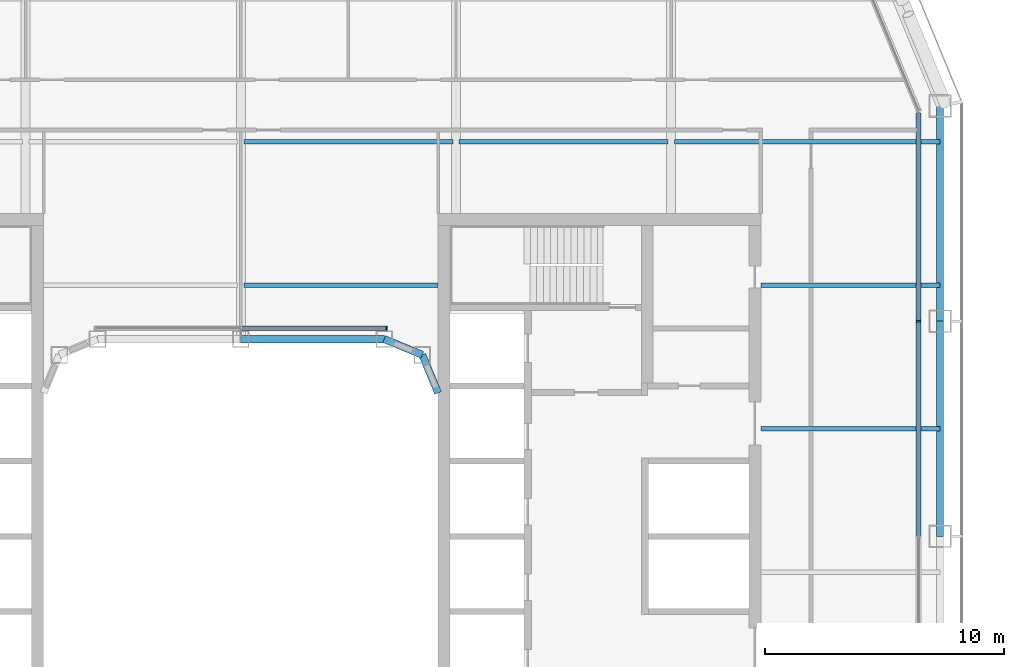
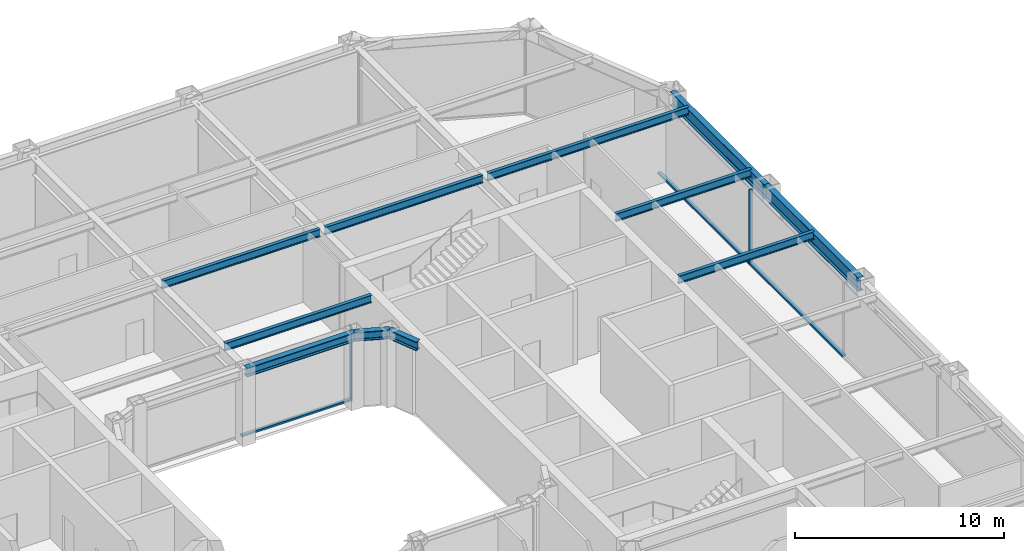
# One storey, part 8 of 23: 11 beams, 5 members, 2 elements without a shape of their own.
"""IFC4 building model written with IfcOpenShell, lengths in metres."""

import ifcopenshell
import ifcopenshell.guid

model = None  # the IFC model being written
_history = None  # IfcOwnerHistory: only IFC2X3 demands one
_inside = {}  # id of a spatial element -> (the spatial element, [elements in it])
_under = {}  # id of a project, library or spatial element -> (it, [spatial elements below it])
_declared = {}  # id of a project -> (the project, [libraries it declares])
_typed = {}  # id of a type object -> (the type object, [elements of that type])
_made_of = {}  # id of a material, layer set ... -> (it, [elements and type objects made of it])


def new_model(schema):
    """Start an empty IFC model of exactly this schema.

    Asked for "IFC4X3", IfcOpenShell would pick the latest addendum, in which some entities
    have other attributes; the version numbers below select the first issue.
    IFC2X3 requires an IfcOwnerHistory on every rooted entity: one is made here for all.
    """
    global model, _history
    if schema == "IFC4X3":
        model = ifcopenshell.file(schema_version=(4, 3, 0, 0))
    else:
        model = ifcopenshell.file(schema=schema)
    _inside.clear()
    _under.clear()
    _declared.clear()
    _typed.clear()
    _made_of.clear()
    _history = None
    if model.schema == "IFC2X3":
        org = make("IfcOrganization", Name="unknown")
        user = make(
            "IfcPersonAndOrganization",
            ThePerson=make("IfcPerson", FamilyName="unknown"),
            TheOrganization=org,
        )
        app = make(
            "IfcApplication",
            ApplicationDeveloper=org,
            Version="unknown",
            ApplicationFullName="unknown",
            ApplicationIdentifier="unknown",
        )
        _history = make(
            "IfcOwnerHistory",
            OwningUser=user,
            OwningApplication=app,
            ChangeAction="ADDED",
            CreationDate=0,
        )
    return model


def make(cls, **values):
    """One entity of the class cls with the attributes given. An attribute that is None is left unset."""
    return model.create_entity(
        cls, **{name: value for name, value in values.items() if value is not None}
    )


def rooted(cls, **values):
    """An entity with a GlobalId (a new one), such as an element, a storey or a relation."""
    return make(cls, GlobalId=ifcopenshell.guid.new(), OwnerHistory=_history, **values)


def si_unit(unit_type, name, prefix=None):
    """IfcSIUnit, for example si_unit("LENGTHUNIT", "METRE", prefix="MILLI")."""
    return make("IfcSIUnit", UnitType=unit_type, Prefix=prefix, Name=name)


def assignment(units):
    """IfcUnitAssignment: the units of a project."""
    return None if units is None else make("IfcUnitAssignment", Units=units)


def point(xyz):
    """IfcCartesianPoint."""
    return None if xyz is None else make("IfcCartesianPoint", Coordinates=xyz)


def direction(xyz):
    """IfcDirection."""
    return None if xyz is None else make("IfcDirection", DirectionRatios=xyz)


def frame(location, z_axis=None, x_axis=None):
    """IfcAxis2Placement3D, a coordinate frame: its origin and axes. An axis left out is left unset."""
    return make(
        "IfcAxis2Placement3D",
        Location=point(location),
        Axis=direction(z_axis),
        RefDirection=direction(x_axis),
    )


def frame_2d(location, x_axis=None):
    """IfcAxis2Placement2D, a coordinate frame in the plane: its origin and x axis."""
    return make(
        "IfcAxis2Placement2D", Location=point(location), RefDirection=direction(x_axis)
    )


def origin():
    """The frame at (0, 0, 0) with its axes left unset."""
    return frame((0.0, 0.0, 0.0))


def origin_2d():
    """The frame at (0, 0) in the plane with its x axis left unset."""
    return frame_2d((0.0, 0.0))


def place(relative_to, where):
    """IfcLocalPlacement: puts the frame where relative to a parent placement (None: the world)."""
    return make(
        "IfcLocalPlacement", PlacementRelTo=relative_to, RelativePlacement=where
    )


def context(
    kind, dimensions, precision=None, world=None, true_north=None, identifier=None
):
    """IfcGeometricRepresentationContext, for example the 3D "Model" context."""
    return make(
        "IfcGeometricRepresentationContext",
        ContextIdentifier=identifier,
        ContextType=kind,
        CoordinateSpaceDimension=dimensions,
        Precision=precision,
        WorldCoordinateSystem=world,
        TrueNorth=true_north,
    )


def subcontext(parent, identifier, kind, view, scale=None):
    """IfcGeometricRepresentationSubContext, for example "Body" below "Model"."""
    return make(
        "IfcGeometricRepresentationSubContext",
        ContextIdentifier=identifier,
        ContextType=kind,
        ParentContext=parent,
        TargetScale=scale,
        TargetView=view,
    )


def project(units=None, contexts=None):
    """IfcProject with its units and contexts."""
    return rooted(
        "IfcProject",
        Name="project",
        RepresentationContexts=contexts,
        UnitsInContext=assignment(units),
    )


def spatial(cls, under=None, at=None, **own):
    """A site, building, storey or space (cls), placed at a placement, below another one or the project."""
    s = rooted(cls, ObjectPlacement=at, **own)
    if under is not None:
        _under.setdefault(under.id(), (under, []))[1].append(s)
    return s


def profile(cls, at=None, kind="AREA", **sizes):
    """A parametric profile (cls). Its sizes go by their IFC names, for example OverallWidth=200.0."""
    return make(cls, ProfileType=kind, Position=at, **sizes)


def rectangle(**sizes):
    """IfcRectangleProfileDef."""
    return profile("IfcRectangleProfileDef", **sizes)


def i_section(**sizes):
    """IfcIShapeProfileDef."""
    return profile("IfcIShapeProfileDef", **sizes)


def extrude(swept, where, along, depth):
    """IfcExtrudedAreaSolid: the profile swept, set in the frame where, extruded along a direction by depth."""
    return make(
        "IfcExtrudedAreaSolid",
        SweptArea=swept,
        Position=where,
        ExtrudedDirection=direction(along),
        Depth=depth,
    )


def shape(context_of_items, identifier, shape_type, items):
    """IfcShapeRepresentation: the items that make up one representation, for example the "Body"."""
    return make(
        "IfcShapeRepresentation",
        ContextOfItems=context_of_items,
        RepresentationIdentifier=identifier,
        RepresentationType=shape_type,
        Items=items,
    )


def material(Name=None, Category=None):
    """IfcMaterial."""
    return make("IfcMaterial", Name=Name, Category=Category)


def layer(
    of_material, thickness, ventilated=None, Name=None, Category=None, Priority=None
):
    """IfcMaterialLayer: one layer of a wall or slab, of a material (None: an air gap)."""
    return make(
        "IfcMaterialLayer",
        Material=of_material,
        LayerThickness=thickness,
        IsVentilated=ventilated,
        Name=Name,
        Category=Category,
        Priority=Priority,
    )


def layer_set(layers, Name=None):
    """IfcMaterialLayerSet."""
    return make("IfcMaterialLayerSet", MaterialLayers=layers, LayerSetName=Name)


def material_profile(
    of_material, cross_section, Name=None, Category=None, Priority=None
):
    """IfcMaterialProfile: a cross section and its material."""
    return make(
        "IfcMaterialProfile",
        Name=Name,
        Material=of_material,
        Profile=cross_section,
        Priority=Priority,
        Category=Category,
    )


def profile_set(profiles, Name=None, composite=None):
    """IfcMaterialProfileSet."""
    return make(
        "IfcMaterialProfileSet",
        Name=Name,
        MaterialProfiles=profiles,
        CompositeProfile=composite,
    )


def made_of(thing, what):
    """Note that an element or type object is made of a material, layer set ...; save() writes the relation."""
    if what is not None:
        _made_of.setdefault(what.id(), (what, []))[1].append(thing)
    return thing


def type_object(cls, material=None, **own):
    """A type object (cls), such as IfcWallType, which elements share."""
    return made_of(rooted(cls, **own), material)


def element(
    cls,
    number,
    at=None,
    inside=None,
    cuts=None,
    type_object=None,
    material=None,
    context=None,
    identifier="Body",
    shape_type=None,
    held_by="IfcProductDefinitionShape",
    body=None,
    shapes=None,
    **own,
):
    """One element of the class cls, such as IfcWall. Its Tag is "e" and its number.

    at: its placement. inside: the storey or other place that contains it. cuts: it is an
    opening in that element (IfcRelVoidsElement). A single representation is given by context,
    identifier, shape_type and body (its items); several are given by shapes. held_by: the class
    of the entity that holds the representations. save() writes the other relations.
    """
    e = rooted(cls, Tag="e%d" % number, ObjectPlacement=at, **own)
    if body is not None:
        shapes = [shape(context, identifier, shape_type, body)]
    if shapes is not None:
        e.Representation = make(held_by, Representations=shapes)
    if inside is not None:
        _inside.setdefault(inside.id(), (inside, []))[1].append(e)
    if cuts is not None:
        rooted(
            "IfcRelVoidsElement", RelatingBuildingElement=cuts, RelatedOpeningElement=e
        )
    if type_object is not None:
        _typed.setdefault(type_object.id(), (type_object, []))[1].append(e)
    return made_of(e, material)


def aggregate(whole, parts):
    """IfcRelAggregates: a whole, such as a stair, and the parts it consists of."""
    return rooted("IfcRelAggregates", RelatingObject=whole, RelatedObjects=parts)


def save(model, path):
    """Write the relations noted so far, then the file.

    IfcRelAggregates (storeys below a building ...), IfcRelContainedInSpatialStructure (elements
    in a storey), IfcRelDefinesByType, IfcRelAssociatesMaterial and IfcRelDeclares: one each for
    every whole, place, type object, material and project.
    """
    for whole, parts in _under.values():
        aggregate(whole, parts)
    for where, things in _inside.values():
        rooted(
            "IfcRelContainedInSpatialStructure",
            RelatedElements=things,
            RelatingStructure=where,
        )
    for kind, things in _typed.values():
        rooted("IfcRelDefinesByType", RelatedObjects=things, RelatingType=kind)
    for what, things in _made_of.values():
        rooted("IfcRelAssociatesMaterial", RelatedObjects=things, RelatingMaterial=what)
    for by, libraries in _declared.values():
        rooted("IfcRelDeclares", RelatingContext=by, RelatedDefinitions=libraries)
    model.write(path)


model = new_model("IFC4")

# Units and contexts
model_context = context("Model", 3, precision=1e-05, world=origin(), true_north=direction((0.0, 1.0)))
body_context = subcontext(model_context, "Body", "Model", "MODEL_VIEW")
ifc_project = project(units=[si_unit("LENGTHUNIT", "METRE"), si_unit("AREAUNIT", "SQUARE_METRE"), si_unit("VOLUMEUNIT", "CUBIC_METRE"), si_unit("PLANEANGLEUNIT", "RADIAN"), si_unit("MASSUNIT", "GRAM", prefix="KILO")], contexts=[model_context])

# Site, building, storey
site_placement = place(None, origin())
site = spatial("IfcSite", under=ifc_project, at=site_placement, CompositionType="ELEMENT")
building_placement = place(site_placement, origin())
building = spatial("IfcBuilding", under=site, at=building_placement, Name="Siwar Civic Tower", CompositionType="ELEMENT")
storey_placement = place(building_placement, frame((0.0, 0.0, 109.199951171875)))
storey = spatial("IfcBuildingStorey", under=building, at=storey_placement, Name="L23", CompositionType="ELEMENT", Elevation=109.199951171875)

# Curtain wall, member
ifc_material_1 = material(Name="Aluminium and glass", Category="aluminium")
ifc_layer_1 = layer(ifc_material_1, 0.199951171875)
ifc_layer_set_1 = layer_set([ifc_layer_1], Name="Aluminium and glass")
curtain_wall_type_1 = type_object("IfcCurtainWallType", Name="ENV-CW-B", PredefinedType="NOTDEFINED", material=ifc_layer_set_1)
curtain_wall_1_placement = place(storey_placement, origin())
curtain_wall_1 = element("IfcCurtainWall", 1, at=curtain_wall_1_placement, inside=storey, type_object=curtain_wall_type_1, Name="Curtain wall B E", PredefinedType="NOTDEFINED")
ifc_material_2 = material(Name="Aluminium 6063-T6", Category="aluminium")
ifc_material_profile_1 = material_profile(ifc_material_2, rectangle(XDim=0.199951171875, YDim=0.06494140625, at=origin_2d()), Name="AL 200x65")
ifc_profile_set_1 = profile_set([ifc_material_profile_1], Name="Aluminium 6063-T6")
member_type_1 = type_object("IfcMemberType", Name="ENV-MULLION-B", PredefinedType="MULLION", material=ifc_profile_set_1)
member_1_placement = place(storey_placement, frame((28.35009765625, 9.0, 0.0), z_axis=(0.0, 0.0, 1.0), x_axis=(-1.0, 0.0, 0.0)))
member_1 = element("IfcMember", 2, at=member_1_placement, type_object=member_type_1, Name="Mullion B E 4", PredefinedType="MULLION", context=body_context, shape_type="SweptSolid", body=[
    extrude(rectangle(XDim=0.199951171875, YDim=0.06494140625, at=origin_2d()), origin(), (0.0, 0.0, 1.0), 4.35009765625),
])

ifc_material_3 = material(Name="Aluminium and glass", Category="aluminium")
ifc_layer_2 = layer(ifc_material_3, 0.179931640625)
ifc_layer_set_2 = layer_set([ifc_layer_2], Name="Aluminium and glass")
curtain_wall_type_2 = type_object("IfcCurtainWallType", Name="ENV-CW-W", PredefinedType="NOTDEFINED", material=ifc_layer_set_2)
curtain_wall_2_placement = place(storey_placement, origin())
curtain_wall_2 = element("IfcCurtainWall", 3, at=curtain_wall_2_placement, inside=storey, type_object=curtain_wall_type_2, Name="Curtain wall W WN", PredefinedType="NOTDEFINED")
ifc_material_4 = material(Name="Aluminium 6063-T6", Category="aluminium")
ifc_material_profile_2 = material_profile(ifc_material_4, rectangle(XDim=0.179931640625, YDim=0.06005859375, at=origin_2d()), Name="AL 180x60")
ifc_profile_set_2 = profile_set([ifc_material_profile_2], Name="Aluminium 6063-T6")
member_type_2 = type_object("IfcMemberType", Name="ENV-MULLION-W", PredefinedType="MULLION", material=ifc_profile_set_2)
member_2_placement = place(storey_placement, frame((6.091552734375, 8.7099609375, 0.0), z_axis=(0.0, 0.0, 1.0), x_axis=(0.0, -1.0, 0.0)))
member_2 = element("IfcMember", 4, at=member_2_placement, type_object=member_type_2, Name="Mullion W WN 1", PredefinedType="MULLION", context=body_context, shape_type="SweptSolid", body=[
    extrude(rectangle(XDim=0.179931640625, YDim=0.06005859375, at=origin_2d()), origin(), (0.0, 0.0, 1.0), 4.35009765625),
])

# Member
ifc_material_5 = material(Name="Aluminium 6063-T6", Category="aluminium")
ifc_material_profile_3 = material_profile(ifc_material_5, rectangle(XDim=0.199951171875, YDim=0.110107421875, at=origin_2d()), Name="AL 200x110")
ifc_profile_set_3 = profile_set([ifc_material_profile_3], Name="Aluminium 6063-T6")
member_type_3 = type_object("IfcMemberType", Name="ENV-TRANSOM-B", PredefinedType="USERDEFINED", material=ifc_profile_set_3)
member_3_placement = place(storey_placement, frame((28.35009765625, 0.032470703125, 0.054931640625), z_axis=(0.0, 1.0, 0.0), x_axis=(-1.0, 0.0, 0.0)))
member_3 = element("IfcMember", 5, at=member_3_placement, type_object=member_type_3, Name="Transom B E 3", ObjectType="TRANSOM", PredefinedType="USERDEFINED", context=body_context, shape_type="SweptSolid", body=[
    extrude(rectangle(XDim=0.199951171875, YDim=0.110107421875, at=origin_2d()), origin(), (0.0, 0.0, 1.0), 8.93505859375),
])

member_4_placement = place(storey_placement, frame((28.35009765625, 9.032470703125, 0.054931640625), z_axis=(0.0, 1.0, 0.0), x_axis=(-1.0, 0.0, 0.0)))
member_4 = element("IfcMember", 6, at=member_4_placement, type_object=member_type_3, Name="Transom B E 4", ObjectType="TRANSOM", PredefinedType="USERDEFINED", context=body_context, shape_type="SweptSolid", body=[
    extrude(rectangle(XDim=0.199951171875, YDim=0.110107421875, at=origin_2d()), origin(), (0.0, 0.0, 1.0), 8.6748046875),
])

aggregate(curtain_wall_1, [member_1, member_3, member_4])

ifc_material_6 = material(Name="Aluminium 6063-T6", Category="aluminium")
ifc_material_profile_4 = material_profile(ifc_material_6, rectangle(XDim=0.179931640625, YDim=0.10009765625, at=origin_2d()), Name="AL 180x100")
ifc_profile_set_4 = profile_set([ifc_material_profile_4], Name="Aluminium 6063-T6")
member_type_4 = type_object("IfcMemberType", Name="ENV-TRANSOM-W", PredefinedType="USERDEFINED", material=ifc_profile_set_4)
member_5_placement = place(storey_placement, frame((6.0615234375, 8.7099609375, 0.050048828125), z_axis=(-1.0, 0.0, 0.0), x_axis=(0.0, -1.0, 0.0)))
member_5 = element("IfcMember", 7, at=member_5_placement, type_object=member_type_4, Name="Transom W WN 1", ObjectType="TRANSOM", PredefinedType="USERDEFINED", context=body_context, shape_type="SweptSolid", body=[
    extrude(rectangle(XDim=0.179931640625, YDim=0.10009765625, at=origin_2d()), origin(), (0.0, 0.0, 1.0), 6.031494140625),
])

aggregate(curtain_wall_2, [member_2, member_5])

# Beams
ifc_material_7 = material(Name="Steel S355", Category="steel")
ifc_material_profile_5 = material_profile(ifc_material_7, i_section(OverallWidth=0.18994140625, OverallDepth=0.449951171875, WebThickness=0.009521484375, FlangeThickness=0.0146484375, FilletRadius=0.02099609375, at=origin_2d()), Name="IPE450")
ifc_profile_set_5 = profile_set([ifc_material_profile_5], Name="Steel S355")
beam_type_1 = type_object("IfcBeamType", Name="STR-FB-IPE450", PredefinedType="JOIST", material=ifc_profile_set_5)
beam_1_placement = place(storey_placement, frame((21.75, 4.5, 4.125), z_axis=(1.0, 0.0, 0.0), x_axis=(0.0, 1.0, 0.0)))
element("IfcBeam", 8, at=beam_1_placement, inside=storey, type_object=beam_type_1, Name="L23/bm/F026", PredefinedType="JOIST", context=body_context, shape_type="SweptSolid", body=[
    extrude(i_section(OverallWidth=0.18994140625, OverallDepth=0.449951171875, WebThickness=0.009521484375, FlangeThickness=0.0146484375, FilletRadius=0.02099609375, at=origin_2d()), origin(), (0.0, 0.0, 1.0), 7.5),
])
beam_2_placement = place(storey_placement, frame((0.1298828125, 10.5, 4.125), z_axis=(1.0, 0.0, 0.0), x_axis=(0.0, 1.0, 0.0)))
element("IfcBeam", 9, at=beam_2_placement, inside=storey, type_object=beam_type_1, Name="L23/bm/F029", PredefinedType="JOIST", context=body_context, shape_type="SweptSolid", body=[
    extrude(i_section(OverallWidth=0.18994140625, OverallDepth=0.449951171875, WebThickness=0.009521484375, FlangeThickness=0.0146484375, FilletRadius=0.02099609375, at=origin_2d()), origin(), (0.0, 0.0, 1.0), 8.1201171875),
])
beam_3_placement = place(storey_placement, frame((21.75, 10.5, 4.125), z_axis=(1.0, 0.0, 0.0), x_axis=(0.0, 1.0, 0.0)))
element("IfcBeam", 10, at=beam_3_placement, inside=storey, type_object=beam_type_1, Name="L23/bm/F030", PredefinedType="JOIST", context=body_context, shape_type="SweptSolid", body=[
    extrude(i_section(OverallWidth=0.18994140625, OverallDepth=0.449951171875, WebThickness=0.009521484375, FlangeThickness=0.0146484375, FilletRadius=0.02099609375, at=origin_2d()), origin(), (0.0, 0.0, 1.0), 7.5),
])
for number, where, z_axis, x_axis, name in (
    (11, (0.1298828125, 16.5, 4.125), (1.0, 0.0, 0.0), (0.0, 1.0, 0.0), "L23/bm/F034"),
    (12, (9.1298828125, 16.5, 4.125), (1.0, 0.0, 0.0), (0.0, 1.0, 0.0), "L23/bm/F035"),
):
    element("IfcBeam", number, at=place(storey_placement, frame(where, z_axis=z_axis, x_axis=x_axis)), inside=storey, type_object=beam_type_1, Name=name, PredefinedType="JOIST", context=body_context, shape_type="SweptSolid", body=[
        extrude(i_section(OverallWidth=0.18994140625, OverallDepth=0.449951171875, WebThickness=0.009521484375, FlangeThickness=0.0146484375, FilletRadius=0.02099609375, at=origin_2d()), origin(), (0.0, 0.0, 1.0), 8.740234375),
    ])
beam_4_placement = place(storey_placement, frame((18.1298828125, 16.5, 4.125), z_axis=(1.0, 0.0, 0.0), x_axis=(0.0, 1.0, 0.0)))
element("IfcBeam", 13, at=beam_4_placement, inside=storey, type_object=beam_type_1, Name="L23/bm/F036", PredefinedType="JOIST", context=body_context, shape_type="SweptSolid", body=[
    extrude(i_section(OverallWidth=0.18994140625, OverallDepth=0.449951171875, WebThickness=0.009521484375, FlangeThickness=0.0146484375, FilletRadius=0.02099609375, at=origin_2d()), origin(), (0.0, 0.0, 1.0), 11.1201171875),
])
ifc_material_8 = material(Name="Steel S355", Category="steel")
ifc_material_profile_6 = material_profile(ifc_material_8, i_section(OverallWidth=0.305908203125, OverallDepth=0.52392578125, WebThickness=0.02099609375, FlangeThickness=0.0400390625, FilletRadius=0.027099609375, at=origin_2d()), Name="HEM500")
ifc_profile_set_6 = profile_set([ifc_material_profile_6], Name="Steel S355")
beam_type_2 = type_object("IfcBeamType", Name="STR-RB-HEM500", PredefinedType="BEAM", material=ifc_profile_set_6)
beam_5_placement = place(storey_placement, frame((0.0, 8.25, 4.088134765625), z_axis=(1.0, 0.0, 0.0), x_axis=(0.0, 1.0, 0.0)))
element("IfcBeam", 14, at=beam_5_placement, inside=storey, type_object=beam_type_2, Name="L23/bm/RN2", PredefinedType="BEAM", context=body_context, shape_type="SweptSolid", body=[
    extrude(i_section(OverallWidth=0.305908203125, OverallDepth=0.52392578125, WebThickness=0.02099609375, FlangeThickness=0.0400390625, FilletRadius=0.027099609375, at=origin_2d()), origin(), (0.0, 0.0, 1.0), 6.0),
])
for number, where, z_axis, x_axis, name in (
    (15, (6.0, 8.25, 4.088134765625), (0.923901072997, -0.382631424892, 0.0), (0.382631424892, 0.923901072997, 0.0), "L23/bm/RN3"),
    (16, (7.591064453125, 7.591064453125, 4.088134765625), (0.382631424892, -0.923901072997, 0.0), (0.923901072997, 0.382631424892, 0.0), "L23/bm/RNEE"),
):
    element("IfcBeam", number, at=place(storey_placement, frame(where, z_axis=z_axis, x_axis=x_axis)), inside=storey, type_object=beam_type_2, Name=name, PredefinedType="BEAM", context=body_context, shape_type="SweptSolid", body=[
        extrude(i_section(OverallWidth=0.305908203125, OverallDepth=0.52392578125, WebThickness=0.02099609375, FlangeThickness=0.0400390625, FilletRadius=0.027099609375, at=origin_2d()), origin(), (0.0, 0.0, 1.0), 1.72216796875),
    ])
ifc_material_9 = material(Name="Steel S355", Category="steel")
ifc_material_profile_7 = material_profile(ifc_material_9, i_section(OverallWidth=0.300048828125, OverallDepth=0.800048828125, WebThickness=0.017578125, FlangeThickness=0.032958984375, FilletRadius=0.030029296875, at=origin_2d()), Name="HEB800")
ifc_profile_set_7 = profile_set([ifc_material_profile_7], Name="Steel S355")
beam_type_3 = type_object("IfcBeamType", Name="STR-SB-HEB800", PredefinedType="BEAM", material=ifc_profile_set_7)
for number, where, z_axis, x_axis, name in (
    (17, (29.25, 0.0, 3.949951171875), (0.0, 1.0, 0.0), (-1.0, 0.0, 0.0), "L23/bm/SE-2"),
    (18, (29.25, 9.0, 3.949951171875), (0.0, 1.0, 0.0), (-1.0, 0.0, 0.0), "L23/bm/SE-3"),
):
    element("IfcBeam", number, at=place(storey_placement, frame(where, z_axis=z_axis, x_axis=x_axis)), inside=storey, type_object=beam_type_3, Name=name, PredefinedType="BEAM", context=body_context, shape_type="SweptSolid", body=[
        extrude(i_section(OverallWidth=0.300048828125, OverallDepth=0.800048828125, WebThickness=0.017578125, FlangeThickness=0.032958984375, FilletRadius=0.030029296875, at=origin_2d()), origin(), (0.0, 0.0, 1.0), 9.0),
    ])

save(model, "model.ifc")
